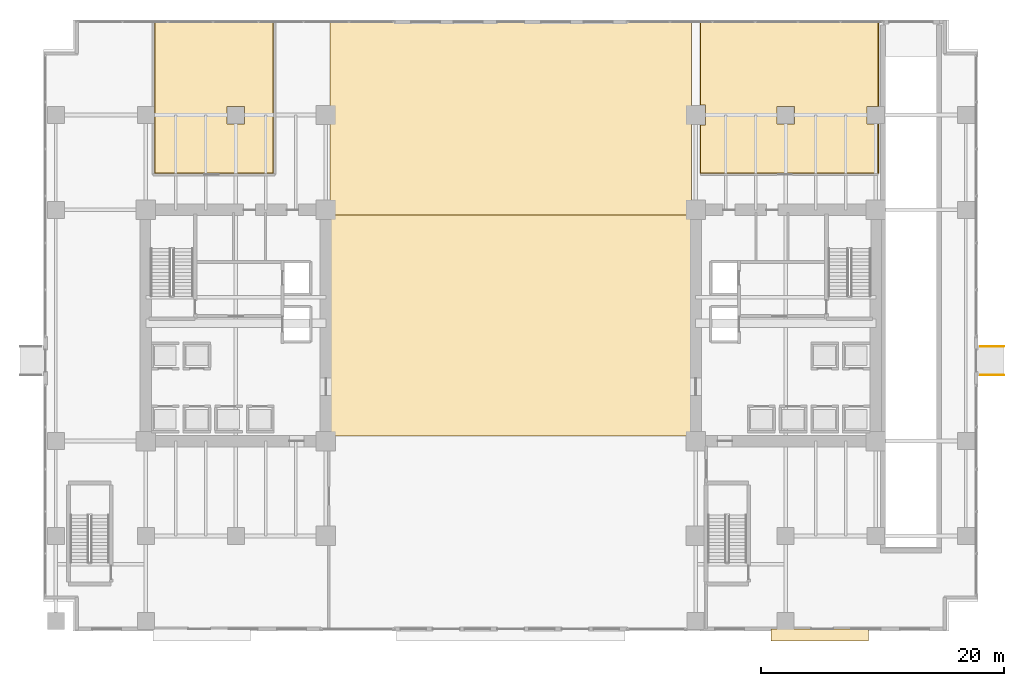
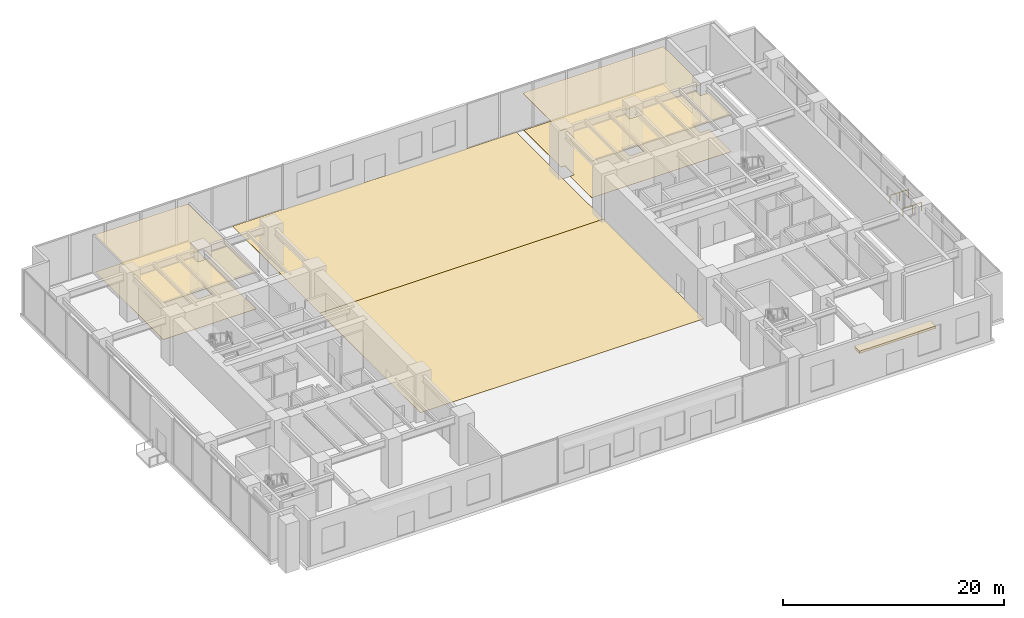
# One storey, part 26 of 28: 7 coverings, 2 railings.
"""IFC4 building model written with IfcOpenShell, lengths in metres."""

from ifc_helpers import new_model, si_unit, direction, frame, origin, origin_2d, place, context, subcontext, project, spatial, polyline, circle, outline, extrude, source, transform, mapped, material, layer, layer_set, type_object, type_shapes, element, save


model = new_model("IFC4")

# Units and contexts
model_context = context("Model", 3, precision=1e-05, world=origin(), true_north=direction((0.0, 1.0)))
body_context = subcontext(model_context, "Body", "Model", "MODEL_VIEW")
ifc_project = project(units=[si_unit("LENGTHUNIT", "METRE"), si_unit("AREAUNIT", "SQUARE_METRE"), si_unit("VOLUMEUNIT", "CUBIC_METRE"), si_unit("PLANEANGLEUNIT", "RADIAN"), si_unit("MASSUNIT", "GRAM", prefix="KILO")], contexts=[model_context])

# Site, building, storey
site_placement = place(None, origin())
site = spatial("IfcSite", under=ifc_project, at=site_placement, CompositionType="ELEMENT")
building_placement = place(site_placement, origin())
building = spatial("IfcBuilding", under=site, at=building_placement, Name="Haelvirn Gate Laboratories", CompositionType="ELEMENT")
storey_placement = place(building_placement, origin())
storey = spatial("IfcBuildingStorey", under=building, at=storey_placement, Name="L01", CompositionType="ELEMENT", Elevation=0.0)

# Coverings
ifc_material_1 = material(Name="Washable cleanroom gasketed aluminium ceiling", Category="aluminium")
ifc_layer_1 = layer(ifc_material_1, 0.050048828125, Name="COV-CEIL-CLN")
ifc_layer_set_1 = layer_set([ifc_layer_1], Name="Washable cleanroom gasketed aluminium ceiling")
covering_type_1 = type_object("IfcCoveringType", Name="COV-CEIL-CLN", PredefinedType="CEILING", material=ifc_layer_set_1)
covering_1_placement = place(storey_placement, frame((0.0, 0.0, 4.070068359375)))
element("IfcCovering", 1, at=covering_1_placement, inside=storey, type_object=covering_type_1, Name="L01 Laboratory Acoustic Ceiling CEIL-SP-L01-FCC", PredefinedType="CEILING", context=body_context, shape_type="SweptSolid", body=[
    extrude(outline(polyline([(8.090087890625, 36.7900390625), (8.090087890625, 40.8798828125), (8.1201171875, 40.8798828125), (8.1201171875, 42.320068359375), (8.090087890625, 42.320068359375), (8.090087890625, 49.260009765625), (17.909912109375, 49.260009765625), (17.909912109375, 36.7900390625), (8.090087890625, 36.7900390625)]), holes=[polyline([(14.080078125, 42.320068359375), (14.080078125, 40.8798828125), (15.52001953125, 40.8798828125), (15.52001953125, 42.320068359375), (14.080078125, 42.320068359375)])]), origin(), (0.0, 0.0, 1.0), 0.050048828125),
])
covering_2_placement = place(storey_placement, frame((0.0, 0.0, 4.070068359375)))
element("IfcCovering", 2, at=covering_2_placement, inside=storey, type_object=covering_type_1, Name="L01 Laboratory Acoustic Ceiling CEIL-SP-L01-VISITOR", PredefinedType="CEILING", context=body_context, shape_type="SweptSolid", body=[
    extrude(outline(polyline([(67.659912109375, 42.320068359375), (66.679931640625, 42.320068359375), (66.679931640625, 40.8798828125), (67.659912109375, 40.8798828125), (67.659912109375, 36.7900390625), (52.93994140625, 36.7900390625), (52.93994140625, 40.780029296875), (53.419921875, 40.780029296875), (53.419921875, 42.419921875), (52.93994140625, 42.419921875), (52.93994140625, 49.260009765625), (67.659912109375, 49.260009765625), (67.659912109375, 42.320068359375)]), holes=[polyline([(59.280029296875, 42.320068359375), (59.280029296875, 40.8798828125), (60.719970703125, 40.8798828125), (60.719970703125, 42.320068359375), (59.280029296875, 42.320068359375)])]), origin(), (0.0, 0.0, 1.0), 0.050048828125),
])
ifc_material_2 = material(Name="Anodised bronze honeycomb aluminium spandrel cladding", Category="aluminium")
ifc_layer_2 = layer(ifc_material_2, 0.044921875, Name="COV-CLAD-BRZ")
ifc_layer_set_2 = layer_set([ifc_layer_2], Name="Anodised bronze honeycomb aluminium spandrel cladding")
covering_type_2 = type_object("IfcCoveringType", Name="COV-CLAD-BRZ", PredefinedType="CLADDING", material=ifc_layer_set_2)
covering_3_placement = place(storey_placement, frame((0.0, 0.0, 4.10009765625)))
element("IfcCovering", 3, at=covering_3_placement, inside=storey, type_object=covering_type_2, Name="L01 Bronze Entrance Weather Hood E", PredefinedType="CLADDING", context=body_context, shape_type="SweptSolid", body=[
    extrude(outline(polyline([(58.800048828125, -1.64990234375), (66.800048828125, -1.64990234375), (66.800048828125, -0.64990234375), (58.800048828125, -0.64990234375), (58.800048828125, -1.64990234375)])), origin(), (0.0, 0.0, 1.0), 0.25),
])
ifc_material_3 = material(Name="Honed granite concourse terrazzo flooring", Category="masonry")
ifc_layer_3 = layer(ifc_material_3, 0.02490234375, Name="COV-FLR-TERRA")
ifc_layer_set_3 = layer_set([ifc_layer_3], Name="Honed granite concourse terrazzo flooring")
covering_type_3 = type_object("IfcCoveringType", Name="COV-FLR-TERRA", PredefinedType="FLOORING", material=ifc_layer_set_3)
covering_4_placement = place(storey_placement, origin())
element("IfcCovering", 4, at=covering_4_placement, inside=storey, type_object=covering_type_3, Name="L01 Seamless Laboratory Flooring FLR-SP-L01-ATRIUM", PredefinedType="FLOORING", context=body_context, shape_type="SweptSolid", body=[
    extrude(outline(polyline([(22.550048828125, 33.39990234375), (52.25, 33.39990234375), (52.25, 15.199951171875), (22.550048828125, 15.199951171875), (22.550048828125, 33.39990234375)])), origin(), (0.0, 0.0, 1.0), 0.02490234375),
])
covering_5_placement = place(storey_placement, origin())
element("IfcCovering", 5, at=covering_5_placement, inside=storey, type_object=covering_type_3, Name="L01 Seamless Laboratory Flooring FLR-SP-L01-CONCOURSE-N", PredefinedType="FLOORING", context=body_context, shape_type="SweptSolid", body=[
    extrude(outline(polyline([(22.550048828125, 49.25), (52.25, 49.25), (52.25, 33.39990234375), (22.550048828125, 33.39990234375), (22.550048828125, 49.25)])), origin(), (0.0, 0.0, 1.0), 0.02490234375),
])
covering_6_placement = place(storey_placement, origin())
element("IfcCovering", 6, at=covering_6_placement, inside=storey, type_object=covering_type_3, Name="L01 Seamless Laboratory Flooring FLR-SP-L01-FCC", PredefinedType="FLOORING", context=body_context, shape_type="SweptSolid", body=[
    extrude(outline(polyline([(17.85009765625, 49.199951171875), (17.85009765625, 36.85009765625), (8.14990234375, 36.85009765625), (8.14990234375, 49.199951171875), (17.85009765625, 49.199951171875)]), holes=[polyline([(14.080078125, 42.320068359375), (14.080078125, 40.8798828125), (15.52001953125, 40.8798828125), (15.52001953125, 42.320068359375), (14.080078125, 42.320068359375)])]), origin(), (0.0, 0.0, 1.0), 0.02490234375),
])
covering_7_placement = place(storey_placement, origin())
element("IfcCovering", 7, at=covering_7_placement, inside=storey, type_object=covering_type_3, Name="L01 Seamless Laboratory Flooring FLR-SP-L01-VISITOR", PredefinedType="FLOORING", context=body_context, shape_type="SweptSolid", body=[
    extrude(outline(polyline([(53.0, 42.419921875), (53.0, 49.199951171875), (67.60009765625, 49.199951171875), (67.60009765625, 42.320068359375), (66.679931640625, 42.320068359375), (66.679931640625, 40.8798828125), (67.60009765625, 40.8798828125), (67.60009765625, 36.85009765625), (53.0, 36.85009765625), (53.0, 40.780029296875), (53.419921875, 40.780029296875), (53.419921875, 42.419921875), (53.0, 42.419921875)]), holes=[polyline([(59.280029296875, 40.8798828125), (60.719970703125, 40.8798828125), (60.719970703125, 42.320068359375), (59.280029296875, 42.320068359375), (59.280029296875, 40.8798828125)])]), origin(), (0.0, 0.0, 1.0), 0.02490234375),
])

# Railings
ifc_material_4 = material(Name="Brushed bronze stainless steel 316L", Category="steel")
railing_type = type_object("IfcRailingType", Name="RLG-RAMP-920", PredefinedType="HANDRAIL", material=ifc_material_4)
shared_shape = source(origin(), body_context, "Body", "SweptSolid", [
    extrude(circle(Radius=0.02392578125, at=origin_2d()), frame((0.0, 0.0, 0.89599609375), z_axis=(-0.999945640521, 0.0, 0.010426696659), x_axis=(0.0, -1.0, 0.0)), (0.0, 0.0, 1.0), 1.919921875),
    extrude(circle(Radius=0.02099609375, at=origin_2d()), origin(), (0.0, 0.0, 1.0), 0.871826171875),
    extrude(circle(Radius=0.02099609375, at=origin_2d()), frame((-0.9599609375, 0.0, 0.010009765625)), (0.0, 0.0, 1.0), 0.871826171875),
    extrude(circle(Radius=0.02099609375, at=origin_2d()), frame((-1.919921875, 0.0, 0.02001953125)), (0.0, 0.0, 1.0), 0.871826171875),
])
type_shapes(railing_type, [shared_shape])
for number, where, name in (
    (8, (77.919921875, 20.219970703125, -0.02001953125), "L01 E Accessible Ramp Handrail S"),
    (9, (77.919921875, 22.580078125, -0.02001953125), "L01 E Accessible Ramp Handrail N"),
):
    element("IfcRailing", number, at=place(storey_placement, frame(where)), inside=storey, type_object=railing_type, Name=name, PredefinedType="HANDRAIL", context=body_context, shape_type="MappedRepresentation", body=[
        mapped(shared_shape, transform((0.0, 0.0, 0.0), scale=1.0)),
    ])

save(model, "model.ifc")
